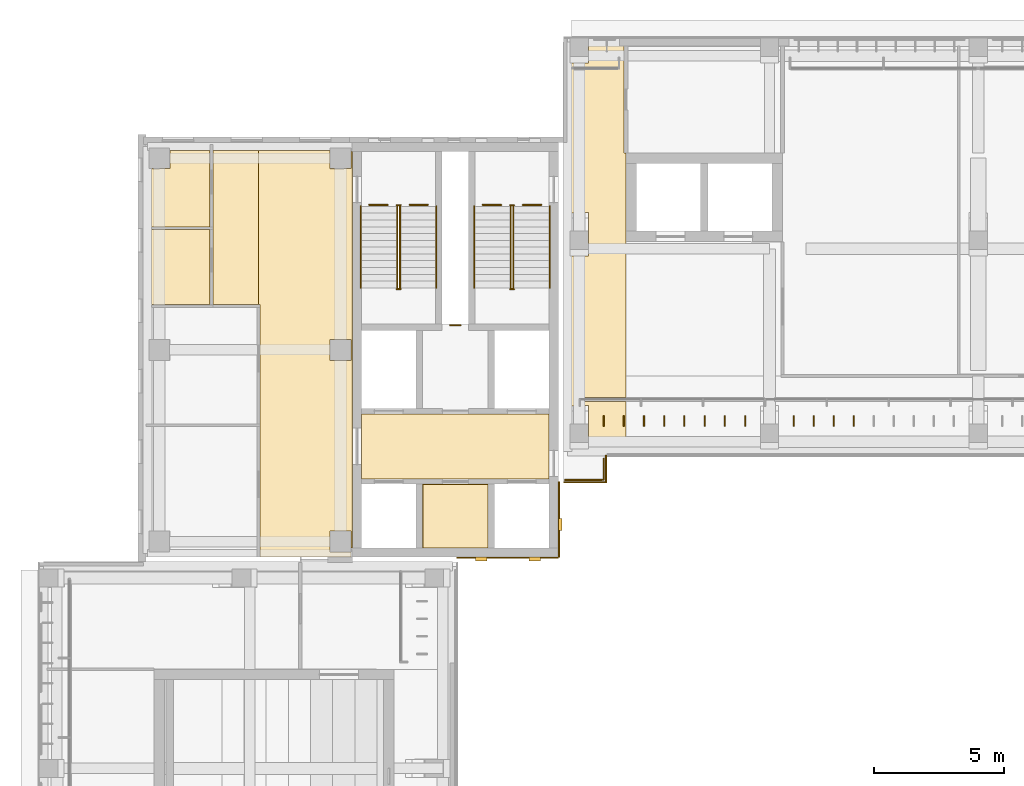
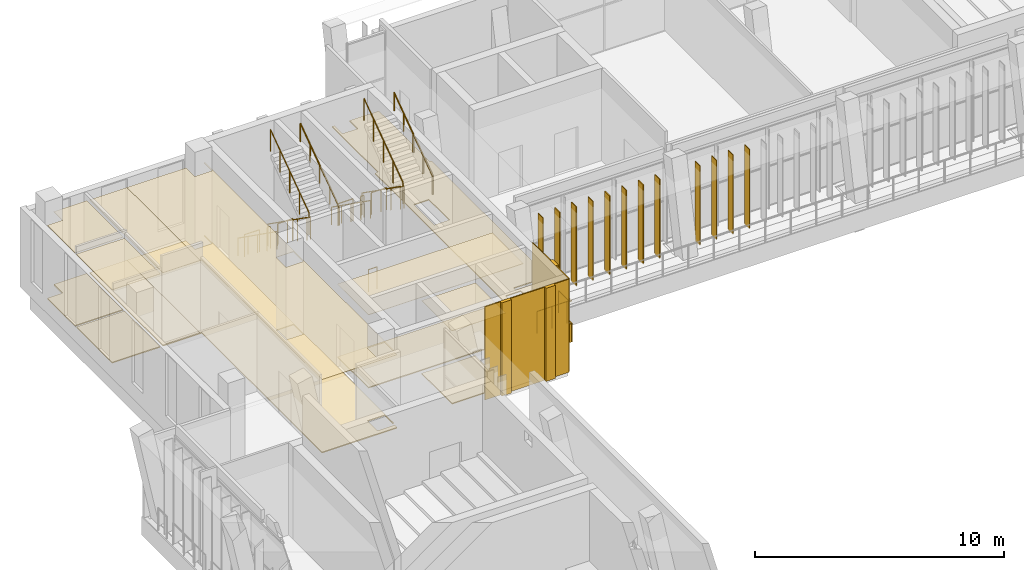
# One storey, part 61 of 74: 20 coverings, 18 railings, 12 shading devices.
"""IFC4 building model written with IfcOpenShell, lengths in metres."""

from ifc_helpers import new_model, si_unit, direction, frame, frame_2d, origin, origin_2d, place, context, subcontext, project, spatial, polyline, rectangle, circle, outline, extrude, material, layer, layer_set, type_object, element, save


model = new_model("IFC4")

# Units and contexts
model_context = context("Model", 3, precision=1e-05, world=origin(), true_north=direction((0.0, 1.0)))
body_context = subcontext(model_context, "Body", "Model", "MODEL_VIEW")
ifc_project = project(units=[si_unit("LENGTHUNIT", "METRE"), si_unit("AREAUNIT", "SQUARE_METRE"), si_unit("VOLUMEUNIT", "CUBIC_METRE"), si_unit("PLANEANGLEUNIT", "RADIAN"), si_unit("MASSUNIT", "GRAM", prefix="KILO")], contexts=[model_context])

# Site, building, storey
site_placement = place(None, origin())
site = spatial("IfcSite", under=ifc_project, at=site_placement, CompositionType="ELEMENT")
building_placement = place(site_placement, origin())
building = spatial("IfcBuilding", under=site, at=building_placement, Name="Lantern Court Media Centre", CompositionType="ELEMENT")
storey_placement = place(building_placement, frame((0.0, 0.0, 19.199951171875)))
storey = spatial("IfcBuildingStorey", under=building, at=storey_placement, Name="L04", CompositionType="ELEMENT", Elevation=19.199951171875)

# Coverings
ifc_material_1 = material(Name="Carpet")
ifc_layer_1 = layer(ifc_material_1, 0.050048828125)
ifc_layer_set_1 = layer_set([ifc_layer_1], Name="Carpet")
covering_type_1 = type_object("IfcCoveringType", Name="Carpet floor finish", PredefinedType="FLOORING", material=ifc_layer_set_1)
covering_1_placement = place(storey_placement, origin())
element("IfcCovering", 1, at=covering_1_placement, inside=storey, type_object=covering_type_1, Name="WC Male floor finish", PredefinedType="FLOORING", context=body_context, shape_type="SweptSolid", body=[
    extrude(outline(polyline([(10.532470703125, 111.699951171875), (10.532470703125, 108.77001953125), (8.300048828125, 108.77001953125), (8.300048828125, 110.9951171875), (9.00341796875, 110.99658203125), (9.0048828125, 111.699951171875), (10.532470703125, 111.699951171875)])), origin(), (0.0, 0.0, 1.0), 0.050048828125),
])
covering_2_placement = place(storey_placement, origin())
element("IfcCovering", 2, at=covering_2_placement, inside=storey, type_object=covering_type_1, Name="WC Female floor finish", PredefinedType="FLOORING", context=body_context, shape_type="SweptSolid", body=[
    extrude(outline(polyline([(8.300048828125, 108.659912109375), (10.532470703125, 108.659912109375), (10.532470703125, 105.784912109375), (8.300048828125, 105.784912109375), (8.300048828125, 108.659912109375)])), origin(), (0.0, 0.0, 1.0), 0.050048828125),
])
ifc_material_2 = material(Name="Ceramic tile")
ifc_layer_2 = layer(ifc_material_2, 0.050048828125)
ifc_layer_set_2 = layer_set([ifc_layer_2], Name="Ceramic tile")
covering_type_2 = type_object("IfcCoveringType", Name="Ceramic tile floor finish", PredefinedType="FLOORING", material=ifc_layer_set_2)
covering_3_placement = place(storey_placement, origin())
element("IfcCovering", 3, at=covering_3_placement, inside=storey, type_object=covering_type_2, Name="Accessible WC floor finish", PredefinedType="FLOORING", context=body_context, shape_type="SweptSolid", body=[
    extrude(outline(polyline([(18.705078125, 96.455078125), (18.705078125, 98.89501953125), (21.195068359375, 98.89501953125), (21.195068359375, 96.455078125), (18.705078125, 96.455078125)])), origin(), (0.0, 0.0, 1.0), 0.050048828125),
])

# Railings
ifc_material_3 = material(Name="Powder-coated steel", Category="steel")
railing_type_1 = type_object("IfcRailingType", Name="Floor edge guard 1100", PredefinedType="GUARDRAIL", material=ifc_material_3)
railing_1_placement = place(storey_placement, frame((16.64990234375, 109.609619140625, 0.0)))
element("IfcRailing", 4, at=railing_1_placement, inside=storey, type_object=railing_type_1, Name="L04 opening guard 112", PredefinedType="GUARDRAIL", context=body_context, shape_type="SweptSolid", body=[
    extrude(circle(Radius=0.02392578125, at=origin_2d()), frame((0.0, 0.0, 1.076171875), z_axis=(1.0, 0.0, 0.0), x_axis=(0.0, 1.0, 0.0)), (0.0, 0.0, 1.0), 0.703857421875),
    extrude(circle(Radius=0.02099609375, at=origin_2d()), origin(), (0.0, 0.0, 1.0), 1.052001953125),
    extrude(circle(Radius=0.02099609375, at=origin_2d()), frame((0.703857421875, 0.0, 0.0)), (0.0, 0.0, 1.0), 1.052001953125),
])
for number, where, name in (
    (5, (18.1962890625, 109.609619140625, 0.0), "L04 opening guard 113"),
    (6, (21.0, 109.609619140625, 0.0), "L04 opening guard 114"),
    (7, (22.54638671875, 109.609619140625, 0.0), "L04 opening guard 115"),
):
    element("IfcRailing", number, at=place(storey_placement, frame(where)), inside=storey, type_object=railing_type_1, Name=name, PredefinedType="GUARDRAIL", context=body_context, shape_type="SweptSolid", body=[
        extrude(circle(Radius=0.02392578125, at=origin_2d()), frame((0.0, 0.0, 1.076171875), z_axis=(1.0, 0.0, 0.0), x_axis=(0.0, 1.0, 0.0)), (0.0, 0.0, 1.0), 0.70361328125),
        extrude(circle(Radius=0.02099609375, at=origin_2d()), origin(), (0.0, 0.0, 1.0), 1.052001953125),
        extrude(circle(Radius=0.02099609375, at=origin_2d()), frame((0.70361328125, 0.0, 0.0)), (0.0, 0.0, 1.0), 1.052001953125),
    ])
railing_2_placement = place(storey_placement, frame((20.14990234375, 104.989990234375, 0.0)))
element("IfcRailing", 8, at=railing_2_placement, inside=storey, type_object=railing_type_1, Name="L04 opening guard 116", PredefinedType="GUARDRAIL", context=body_context, shape_type="SweptSolid", body=[
    extrude(circle(Radius=0.02392578125, at=origin_2d()), frame((0.0, 0.0, 1.076171875), z_axis=(-1.0, 0.0, 0.0), x_axis=(0.0, -1.0, 0.0)), (0.0, 0.0, 1.0), 0.39990234375),
    extrude(circle(Radius=0.02099609375, at=origin_2d()), origin(), (0.0, 0.0, 1.0), 1.052001953125),
    extrude(circle(Radius=0.02099609375, at=origin_2d()), frame((-0.39990234375, 0.0, 0.0)), (0.0, 0.0, 1.0), 1.052001953125),
])
railing_3_placement = place(storey_placement, frame((25.639892578125, 99.8798828125, 0.0)))
element("IfcRailing", 9, at=railing_3_placement, inside=storey, type_object=railing_type_1, Name="L04 edge guard 121", PredefinedType="GUARDRAIL", context=body_context, shape_type="SweptSolid", body=[
    extrude(circle(Radius=0.02392578125, at=origin_2d()), frame((0.0, 0.0, 1.076171875), z_axis=(0.0, -1.0, 0.0), x_axis=(1.0, 0.0, 0.0)), (0.0, 0.0, 1.0), 0.7998046875),
    extrude(circle(Radius=0.02392578125, at=origin_2d()), frame((0.0, -0.7998046875, 1.076171875), z_axis=(-0.96996776307, -0.243233506336, 0.0), x_axis=(0.243233506336, -0.96996776307, 0.0)), (0.0, 0.0, 1.0), 0.082275390625),
    extrude(circle(Radius=0.02392578125, at=origin_2d()), frame((-0.079833984375, -0.81982421875, 1.076171875), z_axis=(-1.0, 0.0, 0.0), x_axis=(0.0, -1.0, 0.0)), (0.0, 0.0, 1.0), 1.400146484375),
    extrude(circle(Radius=0.02099609375, at=origin_2d()), origin(), (0.0, 0.0, 1.0), 1.052001953125),
    extrude(circle(Radius=0.02099609375, at=origin_2d()), frame((0.0, -0.7998046875, 0.0)), (0.0, 0.0, 1.0), 1.052001953125),
    extrude(circle(Radius=0.02099609375, at=origin_2d()), frame((-0.079833984375, -0.81982421875, 0.0)), (0.0, 0.0, 1.0), 1.052001953125),
    extrude(circle(Radius=0.02099609375, at=origin_2d()), frame((-0.77978515625, -0.81982421875, 0.0)), (0.0, 0.0, 1.0), 1.052001953125),
    extrude(circle(Radius=0.02099609375, at=origin_2d()), frame((-1.47998046875, -0.81982421875, 0.0)), (0.0, 0.0, 1.0), 1.052001953125),
])

# Coverings
ifc_material_4 = material(Name="White glass-fibre reinforced cement cladding", Category="concrete")
ifc_layer_3 = layer(ifc_material_4, 0.050048828125)
ifc_layer_set_3 = layer_set([ifc_layer_3], Name="White glass-fibre reinforced cement cladding")
covering_type_3 = type_object("IfcCoveringType", Name="Floor-edge band 50", PredefinedType="CLADDING", material=ifc_layer_set_3)
covering_4_placement = place(storey_placement, frame((24.10009765625, 98.97509765625, -0.89990234375), z_axis=(0.0, 0.0, 1.0), x_axis=(1.0, 0.0, 0.0)))
element("IfcCovering", 10, at=covering_4_placement, inside=storey, type_object=covering_type_3, Name="Floor-edge band N inner L04", PredefinedType="CLADDING", context=body_context, shape_type="SweptSolid", body=[
    extrude(rectangle(XDim=1.599853515625, YDim=0.050048828125, at=frame_2d((0.7998046875, 0.0))), origin(), (0.0, 0.0, 1.0), 0.89990234375),
])
covering_5_placement = place(storey_placement, frame((25.72509765625, 100.0, -0.89990234375), z_axis=(0.0, 0.0, 1.0), x_axis=(0.0, -1.0, 0.0)))
element("IfcCovering", 11, at=covering_5_placement, inside=storey, type_object=covering_type_3, Name="Floor-edge band N inner L04", PredefinedType="CLADDING", context=body_context, shape_type="SweptSolid", body=[
    extrude(rectangle(XDim=1.050048828125, YDim=0.050048828125, at=frame_2d((0.52490234375, 0.0))), origin(), (0.0, 0.0, 1.0), 0.89990234375),
])
ifc_material_5 = material(Name="Honed limestone cladding", Category="masonry")
ifc_layer_4 = layer(ifc_material_5, 0.050048828125)
ifc_layer_set_4 = layer_set([ifc_layer_4], Name="Honed limestone cladding")
covering_type_4 = type_object("IfcCoveringType", Name="Limestone cladding panel 50", PredefinedType="CLADDING", material=ifc_layer_set_4)
covering_6_placement = place(storey_placement, frame((23.925048828125, 96.10009765625, 0.0), z_axis=(0.0, 0.0, 1.0), x_axis=(0.0, 1.0, 0.0)))
element("IfcCovering", 12, at=covering_6_placement, inside=storey, type_object=covering_type_4, Name="Limestone joint cladding N-NW L04", PredefinedType="CLADDING", context=body_context, shape_type="SweptSolid", body=[
    extrude(rectangle(XDim=2.89990234375, YDim=0.050048828125, at=frame_2d((1.449951171875, 0.0))), origin(), (0.0, 0.0, 1.0), 4.580078125),
])
covering_7_placement = place(storey_placement, frame((20.0, 96.074951171875, 0.0), z_axis=(0.0, 0.0, 1.0), x_axis=(1.0, 0.0, 0.0)))
element("IfcCovering", 13, at=covering_7_placement, inside=storey, type_object=covering_type_4, Name="Limestone joint cladding W-NW L04", PredefinedType="CLADDING", context=body_context, shape_type="SweptSolid", body=[
    extrude(rectangle(XDim=3.89990234375, YDim=0.050048828125, at=frame_2d((1.949951171875, 0.0))), origin(), (0.0, 0.0, 1.0), 4.580078125),
])
ifc_layer_5 = layer(ifc_material_5, 0.14990234375)
ifc_layer_set_5 = layer_set([ifc_layer_5], Name="Honed limestone cladding")
covering_type_5 = type_object("IfcCoveringType", Name="Limestone pilaster cladding 150", PredefinedType="CLADDING", material=ifc_layer_set_5)
covering_8_placement = place(storey_placement, frame((20.72509765625, 96.02490234375, 0.0), z_axis=(0.0, 0.0, 1.0), x_axis=(1.0, 0.0, 0.0)))
element("IfcCovering", 14, at=covering_8_placement, inside=storey, type_object=covering_type_5, Name="Limestone pilaster rib", PredefinedType="CLADDING", context=body_context, shape_type="SweptSolid", body=[
    extrude(rectangle(XDim=0.449951171875, YDim=0.14990234375, at=frame_2d((0.22509765625, 0.0))), origin(), (0.0, 0.0, 1.0), 4.580078125),
])
covering_9_placement = place(storey_placement, frame((22.77490234375, 96.02490234375, 0.0), z_axis=(0.0, 0.0, 1.0), x_axis=(1.0, 0.0, 0.0)))
element("IfcCovering", 15, at=covering_9_placement, inside=storey, type_object=covering_type_5, Name="Limestone pilaster rib", PredefinedType="CLADDING", context=body_context, shape_type="SweptSolid", body=[
    extrude(rectangle(XDim=0.4501953125, YDim=0.14990234375, at=frame_2d((0.22509765625, 0.0))), origin(), (0.0, 0.0, 1.0), 4.580078125),
])
covering_10_placement = place(storey_placement, frame((23.97509765625, 97.125, 0.0), z_axis=(0.0, 0.0, 1.0), x_axis=(0.0, 1.0, 0.0)))
element("IfcCovering", 16, at=covering_10_placement, inside=storey, type_object=covering_type_5, Name="Limestone pilaster rib", PredefinedType="CLADDING", context=body_context, shape_type="SweptSolid", body=[
    extrude(rectangle(XDim=0.449951171875, YDim=0.14990234375, at=frame_2d((0.22509765625, 0.0))), origin(), (0.0, 0.0, 1.0), 4.580078125),
])

# Railings
railing_type_2 = type_object("IfcRailingType", Name="Stair guard 1100", PredefinedType="GUARDRAIL", material=ifc_material_3)
railing_4_placement = place(storey_placement, frame((17.72412109375, 109.550048828125, 0.1845703125)))
element("IfcRailing", 17, at=railing_4_placement, inside=storey, type_object=railing_type_2, Name="L04 ST-NWA stair guard 1", PredefinedType="GUARDRAIL", context=body_context, shape_type="SweptSolid", body=[
    extrude(circle(Radius=0.02392578125, at=origin_2d()), frame((0.0, 0.0, 1.076171875), z_axis=(0.0, -0.815346844174, 0.578972817752), x_axis=(1.0, 0.0, 0.0)), (0.0, 0.0, 1.0), 3.82666015625),
    extrude(circle(Radius=0.02099609375, at=origin_2d()), origin(), (0.0, 0.0, 1.0), 1.052001953125),
    extrude(circle(Radius=0.02099609375, at=origin_2d()), frame((0.0, -0.780029296875, 0.553955078125)), (0.0, 0.0, 1.0), 1.052001953125),
    extrude(circle(Radius=0.02099609375, at=origin_2d()), frame((0.0, -1.56005859375, 1.10791015625)), (0.0, 0.0, 1.0), 1.052001953125),
    extrude(circle(Radius=0.02099609375, at=origin_2d()), frame((0.0, -2.340087890625, 1.66162109375)), (0.0, 0.0, 1.0), 1.052001953125),
    extrude(circle(Radius=0.02099609375, at=origin_2d()), frame((0.0, -3.1201171875, 2.215576171875)), (0.0, 0.0, 1.0), 1.052001953125),
])
railing_5_placement = place(storey_placement, frame((17.699951171875, 106.3798828125, 2.400146484375)))
element("IfcRailing", 18, at=railing_5_placement, inside=storey, type_object=railing_type_2, Name="L04 ST-NWA stair guard 2", PredefinedType="GUARDRAIL", context=body_context, shape_type="SweptSolid", body=[
    extrude(circle(Radius=0.02392578125, at=origin_2d()), frame((0.0, 0.0, 1.076171875), z_axis=(1.0, 0.0, 0.0), x_axis=(0.0, 1.0, 0.0)), (0.0, 0.0, 1.0), 0.150146484375),
    extrude(circle(Radius=0.02099609375, at=origin_2d()), origin(), (0.0, 0.0, 1.0), 1.052001953125),
    extrude(circle(Radius=0.02099609375, at=origin_2d()), frame((0.150146484375, 0.0, 0.0)), (0.0, 0.0, 1.0), 1.052001953125),
])
railing_6_placement = place(storey_placement, frame((17.825927734375, 106.429931640625, 2.584716796875)))
element("IfcRailing", 19, at=railing_6_placement, inside=storey, type_object=railing_type_2, Name="L04 ST-NWA stair guard 3", PredefinedType="GUARDRAIL", context=body_context, shape_type="SweptSolid", body=[
    extrude(circle(Radius=0.02392578125, at=origin_2d()), frame((0.0, 0.0, 1.076171875), z_axis=(0.0, 0.815376961211, 0.578930402662), x_axis=(-1.0, 0.0, 0.0)), (0.0, 0.0, 1.0), 3.82666015625),
    extrude(circle(Radius=0.02099609375, at=origin_2d()), origin(), (0.0, 0.0, 1.0), 1.052001953125),
    extrude(circle(Radius=0.02099609375, at=origin_2d()), frame((0.0, 0.780029296875, 0.5537109375)), (0.0, 0.0, 1.0), 1.052001953125),
    extrude(circle(Radius=0.02099609375, at=origin_2d()), frame((0.0, 1.56005859375, 1.107666015625)), (0.0, 0.0, 1.0), 1.052001953125),
    extrude(circle(Radius=0.02099609375, at=origin_2d()), frame((0.0, 2.340087890625, 1.66162109375)), (0.0, 0.0, 1.0), 1.052001953125),
    extrude(circle(Radius=0.02099609375, at=origin_2d()), frame((0.0, 3.1201171875, 2.21533203125)), (0.0, 0.0, 1.0), 1.052001953125),
])
railing_7_placement = place(storey_placement, frame((17.699951171875, 109.60009765625, 0.0)))
element("IfcRailing", 20, at=railing_7_placement, inside=storey, type_object=railing_type_2, Name="L04 ST-NWA stair guard 4", PredefinedType="GUARDRAIL", context=body_context, shape_type="SweptSolid", body=[
    extrude(circle(Radius=0.02392578125, at=origin_2d()), frame((0.0, 0.0, 1.076171875), z_axis=(1.0, 0.0, 0.0), x_axis=(0.0, 1.0, 0.0)), (0.0, 0.0, 1.0), 0.150146484375),
    extrude(circle(Radius=0.02099609375, at=origin_2d()), origin(), (0.0, 0.0, 1.0), 1.052001953125),
    extrude(circle(Radius=0.02099609375, at=origin_2d()), frame((0.150146484375, 0.0, 0.0)), (0.0, 0.0, 1.0), 1.052001953125),
])
railing_8_placement = place(storey_placement, frame((22.073974609375, 109.550048828125, 0.1845703125)))
element("IfcRailing", 21, at=railing_8_placement, inside=storey, type_object=railing_type_2, Name="L04 ST-NWB stair guard 1", PredefinedType="GUARDRAIL", context=body_context, shape_type="SweptSolid", body=[
    extrude(circle(Radius=0.02392578125, at=origin_2d()), frame((0.0, 0.0, 1.076171875), z_axis=(0.0, -0.815346844174, 0.578972817752), x_axis=(1.0, 0.0, 0.0)), (0.0, 0.0, 1.0), 3.82666015625),
    extrude(circle(Radius=0.02099609375, at=origin_2d()), origin(), (0.0, 0.0, 1.0), 1.052001953125),
    extrude(circle(Radius=0.02099609375, at=origin_2d()), frame((0.0, -0.780029296875, 0.553955078125)), (0.0, 0.0, 1.0), 1.052001953125),
    extrude(circle(Radius=0.02099609375, at=origin_2d()), frame((0.0, -1.56005859375, 1.10791015625)), (0.0, 0.0, 1.0), 1.052001953125),
    extrude(circle(Radius=0.02099609375, at=origin_2d()), frame((0.0, -2.340087890625, 1.66162109375)), (0.0, 0.0, 1.0), 1.052001953125),
    extrude(circle(Radius=0.02099609375, at=origin_2d()), frame((0.0, -3.1201171875, 2.215576171875)), (0.0, 0.0, 1.0), 1.052001953125),
])
railing_9_placement = place(storey_placement, frame((22.050048828125, 106.3798828125, 2.400146484375)))
element("IfcRailing", 22, at=railing_9_placement, inside=storey, type_object=railing_type_2, Name="L04 ST-NWB stair guard 2", PredefinedType="GUARDRAIL", context=body_context, shape_type="SweptSolid", body=[
    extrude(circle(Radius=0.02392578125, at=origin_2d()), frame((0.0, 0.0, 1.076171875), z_axis=(1.0, 0.0, 0.0), x_axis=(0.0, 1.0, 0.0)), (0.0, 0.0, 1.0), 0.14990234375),
    extrude(circle(Radius=0.02099609375, at=origin_2d()), origin(), (0.0, 0.0, 1.0), 1.052001953125),
    extrude(circle(Radius=0.02099609375, at=origin_2d()), frame((0.14990234375, 0.0, 0.0)), (0.0, 0.0, 1.0), 1.052001953125),
])
railing_10_placement = place(storey_placement, frame((22.176025390625, 106.429931640625, 2.584716796875)))
element("IfcRailing", 23, at=railing_10_placement, inside=storey, type_object=railing_type_2, Name="L04 ST-NWB stair guard 3", PredefinedType="GUARDRAIL", context=body_context, shape_type="SweptSolid", body=[
    extrude(circle(Radius=0.02392578125, at=origin_2d()), frame((0.0, 0.0, 1.076171875), z_axis=(0.0, 0.815376961211, 0.578930402662), x_axis=(-1.0, 0.0, 0.0)), (0.0, 0.0, 1.0), 3.82666015625),
    extrude(circle(Radius=0.02099609375, at=origin_2d()), origin(), (0.0, 0.0, 1.0), 1.052001953125),
    extrude(circle(Radius=0.02099609375, at=origin_2d()), frame((0.0, 0.780029296875, 0.5537109375)), (0.0, 0.0, 1.0), 1.052001953125),
    extrude(circle(Radius=0.02099609375, at=origin_2d()), frame((0.0, 1.56005859375, 1.107666015625)), (0.0, 0.0, 1.0), 1.052001953125),
    extrude(circle(Radius=0.02099609375, at=origin_2d()), frame((0.0, 2.340087890625, 1.66162109375)), (0.0, 0.0, 1.0), 1.052001953125),
    extrude(circle(Radius=0.02099609375, at=origin_2d()), frame((0.0, 3.1201171875, 2.21533203125)), (0.0, 0.0, 1.0), 1.052001953125),
])
railing_11_placement = place(storey_placement, frame((22.050048828125, 109.60009765625, 0.0)))
element("IfcRailing", 24, at=railing_11_placement, inside=storey, type_object=railing_type_2, Name="L04 ST-NWB stair guard 4", PredefinedType="GUARDRAIL", context=body_context, shape_type="SweptSolid", body=[
    extrude(circle(Radius=0.02392578125, at=origin_2d()), frame((0.0, 0.0, 1.076171875), z_axis=(1.0, 0.0, 0.0), x_axis=(0.0, 1.0, 0.0)), (0.0, 0.0, 1.0), 0.14990234375),
    extrude(circle(Radius=0.02099609375, at=origin_2d()), origin(), (0.0, 0.0, 1.0), 1.052001953125),
    extrude(circle(Radius=0.02099609375, at=origin_2d()), frame((0.14990234375, 0.0, 0.0)), (0.0, 0.0, 1.0), 1.052001953125),
])
railing_type_3 = type_object("IfcRailingType", Name="Stair handrail 900", PredefinedType="HANDRAIL", material=ifc_material_3)
railing_12_placement = place(storey_placement, frame((16.325927734375, 109.550048828125, 0.1845703125)))
element("IfcRailing", 25, at=railing_12_placement, inside=storey, type_object=railing_type_3, Name="L04 ST-NWA stair handrail 1", PredefinedType="HANDRAIL", context=body_context, shape_type="SweptSolid", body=[
    extrude(circle(Radius=0.02392578125, at=origin_2d()), frame((0.0, 0.0, 0.8759765625), z_axis=(0.0, -0.815346844174, 0.578972817752), x_axis=(1.0, 0.0, 0.0)), (0.0, 0.0, 1.0), 3.82666015625),
    extrude(circle(Radius=0.02099609375, at=origin_2d()), origin(), (0.0, 0.0, 1.0), 0.851806640625),
    extrude(circle(Radius=0.02099609375, at=origin_2d()), frame((0.0, -0.780029296875, 0.553955078125)), (0.0, 0.0, 1.0), 0.851806640625),
    extrude(circle(Radius=0.02099609375, at=origin_2d()), frame((0.0, -1.56005859375, 1.10791015625)), (0.0, 0.0, 1.0), 0.851806640625),
    extrude(circle(Radius=0.02099609375, at=origin_2d()), frame((0.0, -2.340087890625, 1.66162109375)), (0.0, 0.0, 1.0), 0.851806640625),
    extrude(circle(Radius=0.02099609375, at=origin_2d()), frame((0.0, -3.1201171875, 2.215576171875)), (0.0, 0.0, 1.0), 0.851806640625),
])
railing_13_placement = place(storey_placement, frame((19.22412109375, 106.429931640625, 2.584716796875)))
element("IfcRailing", 26, at=railing_13_placement, inside=storey, type_object=railing_type_3, Name="L04 ST-NWA stair handrail 2", PredefinedType="HANDRAIL", context=body_context, shape_type="SweptSolid", body=[
    extrude(circle(Radius=0.02392578125, at=origin_2d()), frame((0.0, 0.0, 0.8759765625), z_axis=(0.0, 0.815376961211, 0.578930402662), x_axis=(-1.0, 0.0, 0.0)), (0.0, 0.0, 1.0), 3.82666015625),
    extrude(circle(Radius=0.02099609375, at=origin_2d()), origin(), (0.0, 0.0, 1.0), 0.851806640625),
    extrude(circle(Radius=0.02099609375, at=origin_2d()), frame((0.0, 0.780029296875, 0.5537109375)), (0.0, 0.0, 1.0), 0.851806640625),
    extrude(circle(Radius=0.02099609375, at=origin_2d()), frame((0.0, 1.56005859375, 1.107666015625)), (0.0, 0.0, 1.0), 0.851806640625),
    extrude(circle(Radius=0.02099609375, at=origin_2d()), frame((0.0, 2.340087890625, 1.66162109375)), (0.0, 0.0, 1.0), 0.851806640625),
    extrude(circle(Radius=0.02099609375, at=origin_2d()), frame((0.0, 3.1201171875, 2.21533203125)), (0.0, 0.0, 1.0), 0.851806640625),
])
railing_14_placement = place(storey_placement, frame((20.676025390625, 109.550048828125, 0.1845703125)))
element("IfcRailing", 27, at=railing_14_placement, inside=storey, type_object=railing_type_3, Name="L04 ST-NWB stair handrail 1", PredefinedType="HANDRAIL", context=body_context, shape_type="SweptSolid", body=[
    extrude(circle(Radius=0.02392578125, at=origin_2d()), frame((0.0, 0.0, 0.8759765625), z_axis=(0.0, -0.815346844174, 0.578972817752), x_axis=(1.0, 0.0, 0.0)), (0.0, 0.0, 1.0), 3.82666015625),
    extrude(circle(Radius=0.02099609375, at=origin_2d()), origin(), (0.0, 0.0, 1.0), 0.851806640625),
    extrude(circle(Radius=0.02099609375, at=origin_2d()), frame((0.0, -0.780029296875, 0.553955078125)), (0.0, 0.0, 1.0), 0.851806640625),
    extrude(circle(Radius=0.02099609375, at=origin_2d()), frame((0.0, -1.56005859375, 1.10791015625)), (0.0, 0.0, 1.0), 0.851806640625),
    extrude(circle(Radius=0.02099609375, at=origin_2d()), frame((0.0, -2.340087890625, 1.66162109375)), (0.0, 0.0, 1.0), 0.851806640625),
    extrude(circle(Radius=0.02099609375, at=origin_2d()), frame((0.0, -3.1201171875, 2.215576171875)), (0.0, 0.0, 1.0), 0.851806640625),
])
railing_15_placement = place(storey_placement, frame((23.573974609375, 106.429931640625, 2.584716796875)))
element("IfcRailing", 28, at=railing_15_placement, inside=storey, type_object=railing_type_3, Name="L04 ST-NWB stair handrail 2", PredefinedType="HANDRAIL", context=body_context, shape_type="SweptSolid", body=[
    extrude(circle(Radius=0.02392578125, at=origin_2d()), frame((0.0, 0.0, 0.8759765625), z_axis=(0.0, 0.815376961211, 0.578930402662), x_axis=(-1.0, 0.0, 0.0)), (0.0, 0.0, 1.0), 3.82666015625),
    extrude(circle(Radius=0.02099609375, at=origin_2d()), origin(), (0.0, 0.0, 1.0), 0.851806640625),
    extrude(circle(Radius=0.02099609375, at=origin_2d()), frame((0.0, 0.780029296875, 0.5537109375)), (0.0, 0.0, 1.0), 0.851806640625),
    extrude(circle(Radius=0.02099609375, at=origin_2d()), frame((0.0, 1.56005859375, 1.107666015625)), (0.0, 0.0, 1.0), 0.851806640625),
    extrude(circle(Radius=0.02099609375, at=origin_2d()), frame((0.0, 2.340087890625, 1.66162109375)), (0.0, 0.0, 1.0), 0.851806640625),
    extrude(circle(Radius=0.02099609375, at=origin_2d()), frame((0.0, 3.1201171875, 2.21533203125)), (0.0, 0.0, 1.0), 0.851806640625),
])

# Coverings
ifc_material_6 = material(Name="Mineral fibre ceiling tile")
ifc_layer_6 = layer(ifc_material_6, 0.02001953125)
ifc_layer_set_6 = layer_set([ifc_layer_6], Name="Mineral fibre ceiling tile")
covering_type_6 = type_object("IfcCoveringType", Name="Suspended ceiling tile", PredefinedType="CEILING", material=ifc_layer_set_6)
covering_11_placement = place(storey_placement, frame((0.0, 0.0, 3.60009765625)))
element("IfcCovering", 29, at=covering_11_placement, inside=storey, type_object=covering_type_6, Name="Lift Lobby ceiling", PredefinedType="CEILING", context=body_context, shape_type="SweptSolid", body=[
    extrude(outline(polyline([(23.549560546875, 99.1005859375), (16.3505859375, 99.1005859375), (16.3505859375, 101.599609375), (23.549560546875, 101.599609375), (23.549560546875, 99.1005859375)])), origin(), (0.0, 0.0, 1.0), 0.02001953125),
])
covering_12_placement = place(storey_placement, frame((0.0, 0.0, 3.60009765625)))
element("IfcCovering", 30, at=covering_12_placement, inside=storey, type_object=covering_type_6, Name="Accessible WC ceiling", PredefinedType="CEILING", context=body_context, shape_type="SweptSolid", body=[
    extrude(outline(polyline([(18.700439453125, 96.450439453125), (18.700439453125, 98.8994140625), (21.199462890625, 98.8994140625), (21.199462890625, 96.450439453125), (18.700439453125, 96.450439453125)])), origin(), (0.0, 0.0, 1.0), 0.02001953125),
])
covering_13_placement = place(storey_placement, frame((0.0, 0.0, 3.60009765625)))
element("IfcCovering", 31, at=covering_13_placement, inside=storey, type_object=covering_type_6, Name="Corridor ceiling", PredefinedType="CEILING", context=body_context, shape_type="SweptSolid", body=[
    extrude(outline(polyline([(12.39990234375, 111.699951171875), (15.1494140625, 111.699951171875), (15.14990234375, 110.99951171875), (15.950439453125, 110.99951171875), (15.950439453125, 111.6494140625), (15.99951171875, 111.6494140625), (15.99951171875, 96.450439453125), (15.950439453125, 96.450439453125), (15.950439453125, 97.100341796875), (15.1494140625, 97.10009765625), (15.149658203125, 96.299560546875), (15.949462890625, 96.299560546875), (15.949462890625, 96.1005859375), (12.462890625, 96.10009765625), (12.462890625, 105.79248046875), (12.39990234375, 105.79296875), (12.39990234375, 111.699951171875)]), holes=[polyline([(15.950439453125, 104.449951171875), (15.149658203125, 104.450439453125), (15.149658203125, 103.649658203125), (15.950439453125, 103.649658203125), (15.950439453125, 104.449951171875)])]), origin(), (0.0, 0.0, 1.0), 0.02001953125),
])
covering_14_placement = place(storey_placement, frame((0.0, 0.0, 3.60009765625)))
element("IfcCovering", 32, at=covering_14_placement, inside=storey, type_object=covering_type_6, Name="WC Lobby ceiling", PredefinedType="CEILING", context=body_context, shape_type="SweptSolid", body=[
    extrude(outline(polyline([(12.39990234375, 111.699951171875), (12.39990234375, 105.79296875), (10.6630859375, 105.79296875), (10.6630859375, 111.699951171875), (12.39990234375, 111.699951171875)])), origin(), (0.0, 0.0, 1.0), 0.02001953125),
])
covering_15_placement = place(storey_placement, frame((0.0, 0.0, 3.60009765625)))
element("IfcCovering", 33, at=covering_15_placement, inside=storey, type_object=covering_type_6, Name="WC Male ceiling", PredefinedType="CEILING", context=body_context, shape_type="SweptSolid", body=[
    extrude(outline(polyline([(10.537109375, 111.699951171875), (10.537109375, 108.765380859375), (8.300048828125, 108.765380859375), (8.300048828125, 110.99951171875), (9.000244140625, 110.999755859375), (9.00048828125, 111.699951171875), (10.537109375, 111.699951171875)])), origin(), (0.0, 0.0, 1.0), 0.02001953125),
])
covering_16_placement = place(storey_placement, frame((0.0, 0.0, 3.60009765625)))
element("IfcCovering", 34, at=covering_16_placement, inside=storey, type_object=covering_type_6, Name="WC Female ceiling", PredefinedType="CEILING", context=body_context, shape_type="SweptSolid", body=[
    extrude(outline(polyline([(8.300048828125, 108.66455078125), (10.537109375, 108.66455078125), (10.537109375, 105.780517578125), (8.300048828125, 105.780517578125), (8.300048828125, 108.66455078125)])), origin(), (0.0, 0.0, 1.0), 0.02001953125),
])
ifc_material_7 = material(Name="Terrazzo")
ifc_layer_7 = layer(ifc_material_7, 0.050048828125)
ifc_layer_set_7 = layer_set([ifc_layer_7], Name="Terrazzo")
covering_type_7 = type_object("IfcCoveringType", Name="Terrazzo floor finish", PredefinedType="FLOORING", material=ifc_layer_set_7)
covering_17_placement = place(storey_placement, origin())
element("IfcCovering", 35, at=covering_17_placement, inside=storey, type_object=covering_type_7, Name="End Lobby floor finish", PredefinedType="FLOORING", context=body_context, shape_type="SweptSolid", body=[
    extrude(outline(polyline([(26.5, 100.300048828125), (25.054931640625, 100.300048828125), (25.050048828125, 101.9091796875), (24.345703125, 101.906494140625), (24.344970703125, 100.300048828125), (24.10009765625, 100.300048828125), (24.10009765625, 111.9951171875), (24.2451171875, 112.0), (24.2451171875, 115.699951171875), (24.344970703125, 115.699951171875), (24.35009765625, 115.044921875), (25.053466796875, 115.04638671875), (25.054931640625, 115.699951171875), (26.4150390625, 115.695068359375), (26.4150390625, 111.60498046875), (26.4951171875, 111.60009765625), (26.5, 102.22998046875), (24.8994140625, 102.22998046875), (24.89501953125, 102.074951171875), (26.5, 102.070068359375), (26.5, 100.300048828125)]), holes=[polyline([(24.344970703125, 107.64990234375), (25.0546875, 107.648193359375), (25.052001953125, 109.308837890625), (24.345458984375, 109.30615234375), (24.344970703125, 107.64990234375)])]), origin(), (0.0, 0.0, 1.0), 0.050048828125),
])
covering_18_placement = place(storey_placement, origin())
element("IfcCovering", 36, at=covering_18_placement, inside=storey, type_object=covering_type_7, Name="Lift Lobby floor finish", PredefinedType="FLOORING", context=body_context, shape_type="SweptSolid", body=[
    extrude(outline(polyline([(23.544921875, 99.10498046875), (16.35498046875, 99.10498046875), (16.35498046875, 101.594970703125), (23.544921875, 101.594970703125), (23.544921875, 99.10498046875)])), origin(), (0.0, 0.0, 1.0), 0.050048828125),
])
covering_19_placement = place(storey_placement, origin())
element("IfcCovering", 37, at=covering_19_placement, inside=storey, type_object=covering_type_7, Name="Corridor floor finish", PredefinedType="FLOORING", context=body_context, shape_type="SweptSolid", body=[
    extrude(outline(polyline([(12.39990234375, 111.699951171875), (15.14501953125, 111.699951171875), (15.14990234375, 110.9951171875), (15.953125, 110.99609375), (15.955078125, 111.64501953125), (15.9951171875, 111.64501953125), (15.9951171875, 96.455078125), (15.955078125, 96.455078125), (15.953125, 97.103759765625), (15.14501953125, 97.10009765625), (15.146240234375, 96.296875), (15.945068359375, 96.294921875), (15.945068359375, 96.10498046875), (12.467529296875, 96.10009765625), (12.467529296875, 105.79248046875), (12.39990234375, 105.797607421875), (12.39990234375, 111.699951171875)]), holes=[polyline([(15.949951171875, 103.64501953125), (15.95361328125, 104.45361328125), (15.146484375, 104.45361328125), (15.146484375, 103.646484375), (15.949951171875, 103.64501953125)])]), origin(), (0.0, 0.0, 1.0), 0.050048828125),
])
covering_20_placement = place(storey_placement, origin())
element("IfcCovering", 38, at=covering_20_placement, inside=storey, type_object=covering_type_7, Name="WC Lobby floor finish", PredefinedType="FLOORING", context=body_context, shape_type="SweptSolid", body=[
    extrude(outline(polyline([(12.39990234375, 111.699951171875), (12.39990234375, 105.797607421875), (10.66748046875, 105.797607421875), (10.66748046875, 111.699951171875), (12.39990234375, 111.699951171875)])), origin(), (0.0, 0.0, 1.0), 0.050048828125),
])

# Shading devices
ifc_material_8 = material(Name="Bronze anodised aluminium louvre", Category="aluminium")
ifc_layer_8 = layer(ifc_material_8, 0.0400390625)
ifc_layer_set_8 = layer_set([ifc_layer_8], Name="Bronze anodised aluminium louvre")
shading_device_type = type_object("IfcShadingDeviceType", Name="Vertical louvre 40x400 under beam", PredefinedType="USERDEFINED", material=ifc_layer_set_8)
for number, where, z_axis, x_axis, name in (
    (39, (25.637451171875, 101.320068359375, 0.0), (0.0, 0.0, 1.0), (1.0, 0.0, 0.0), "Vertical louvre N inner L04"),
    (40, (26.41259765625, 101.320068359375, 0.0), (0.0, 0.0, 1.0), (1.0, 0.0, 0.0), "Vertical louvre N inner L04"),
    (41, (27.1875, 101.320068359375, 0.0), (0.0, 0.0, 1.0), (1.0, 0.0, 0.0), "Vertical louvre N inner L04"),
    (42, (27.96240234375, 101.320068359375, 0.0), (0.0, 0.0, 1.0), (1.0, 0.0, 0.0), "Vertical louvre N inner L04"),
    (43, (28.737548828125, 101.320068359375, 0.0), (0.0, 0.0, 1.0), (1.0, 0.0, 0.0), "Vertical louvre N inner L04"),
    (44, (29.512451171875, 101.320068359375, 0.0), (0.0, 0.0, 1.0), (1.0, 0.0, 0.0), "Vertical louvre N inner L04"),
    (45, (30.28759765625, 101.320068359375, 0.0), (0.0, 0.0, 1.0), (1.0, 0.0, 0.0), "Vertical louvre N inner L04"),
    (46, (31.0625, 101.320068359375, 0.0), (0.0, 0.0, 1.0), (1.0, 0.0, 0.0), "Vertical louvre N inner L04"),
    (47, (32.933349609375, 101.320068359375, 0.0), (0.0, 0.0, 1.0), (1.0, 0.0, 0.0), "Vertical louvre N inner L04"),
    (48, (33.699951171875, 101.320068359375, 0.0), (0.0, 0.0, 1.0), (1.0, 0.0, 0.0), "Vertical louvre N inner L04"),
    (49, (34.466552734375, 101.320068359375, 0.0), (0.0, 0.0, 1.0), (1.0, 0.0, 0.0), "Vertical louvre N inner L04"),
    (50, (35.2333984375, 101.320068359375, 0.0), (0.0, 0.0, 1.0), (1.0, 0.0, 0.0), "Vertical louvre N inner L04"),
):
    element("IfcShadingDevice", number, at=place(storey_placement, frame(where, z_axis=z_axis, x_axis=x_axis)), inside=storey, type_object=shading_device_type, Name=name, ObjectType="VERTICAL LOUVRE", PredefinedType="USERDEFINED", context=body_context, shape_type="SweptSolid", body=[
        extrude(rectangle(XDim=0.0400390625, YDim=0.39990234375, at=origin_2d()), origin(), (0.0, 0.0, 1.0), 3.89990234375),
    ])

save(model, "model.ifc")
